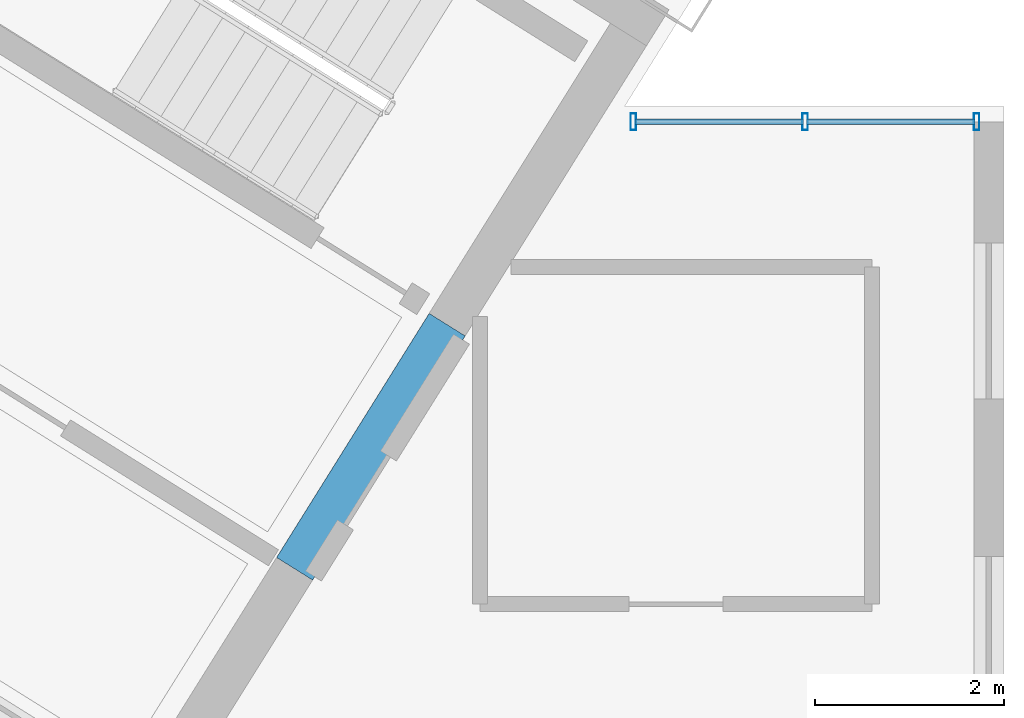
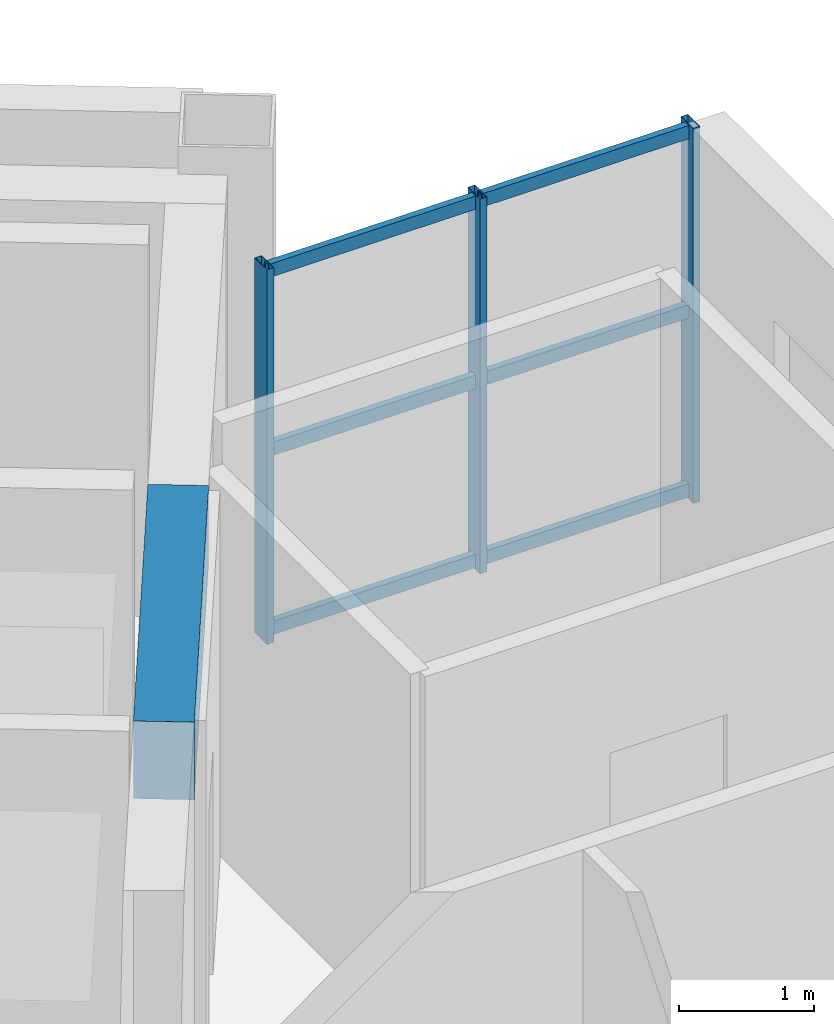
# One storey, part 5 of 12: 9 members, 1 beam, 1 element without a shape of its own.
"""IFC4 building model written with IfcOpenShell, lengths in metres."""

from ifc_helpers import new_model, si_unit, direction, frame, origin, origin_2d, place, context, subcontext, project, spatial, rectangle, hollow_rectangle, extrude, source, transform, mapped, material, material_profile, profile_set, type_object, element, aggregate, save


model = new_model("IFC4")

# Units and contexts
model_context = context("Model", 3, precision=1e-05, world=origin(), true_north=direction((0.0, 1.0)))
body_context = subcontext(model_context, "Body", "Model", "MODEL_VIEW")
ifc_project = project(units=[si_unit("LENGTHUNIT", "METRE"), si_unit("AREAUNIT", "SQUARE_METRE"), si_unit("VOLUMEUNIT", "CUBIC_METRE"), si_unit("PLANEANGLEUNIT", "RADIAN"), si_unit("MASSUNIT", "GRAM", prefix="KILO")], contexts=[model_context])

# Site, building, storey
site_placement = place(None, origin())
site = spatial("IfcSite", under=ifc_project, at=site_placement, CompositionType="ELEMENT")
building_placement = place(site_placement, origin())
building = spatial("IfcBuilding", under=site, at=building_placement, Name="Tlacorven Tower", CompositionType="ELEMENT")
storey_placement = place(building_placement, frame((0.0, 0.0, 280.800048828125)))
storey = spatial("IfcBuildingStorey", under=building, at=storey_placement, Name="L71", CompositionType="ELEMENT", Elevation=280.800048828125)

# Beam
ifc_material_1 = material(Name="Concrete C60/75", Category="concrete")
ifc_material_profile_1 = material_profile(ifc_material_1, rectangle(XDim=0.449951171875, YDim=0.699951171875, at=origin_2d()), Name="RC 450X700")
ifc_profile_set_1 = profile_set([ifc_material_profile_1], Name="Concrete C60/75")
beam_type = type_object("IfcBeamType", Name="BM-LNT-700", PredefinedType="LINTEL", material=ifc_profile_set_1)
shared_shape_1 = source(origin(), body_context, "Body", "SweptSolid", [
    extrude(rectangle(XDim=0.449951171875, YDim=0.699951171875, at=origin_2d()), origin(), (0.0, 0.0, 1.0), 3.050048828125),
])
beam_placement = place(storey_placement, frame((38.2998046875, 20.890625, 3.0), z_axis=(-0.529984549635, -0.848007297815, 0.0), x_axis=(0.848007297815, -0.529984549635, 0.0)))
element("IfcBeam", 1, at=beam_placement, inside=storey, type_object=beam_type, Name="L71 W core coupling lintel beam E1", PredefinedType="LINTEL", context=body_context, shape_type="MappedRepresentation", body=[
    mapped(shared_shape_1, transform((0.0, 0.0, 0.0), scale=1.0)),
])

# Curtain wall, members
ifc_material_2 = material(Name="Dark solar low-E double glazing in aluminium frame", Category="aluminium")
curtain_wall_type = type_object("IfcCurtainWallType", Name="CW-TWR-HIGH", PredefinedType="USERDEFINED", material=ifc_material_2)
curtain_wall_placement = place(storey_placement, origin())
curtain_wall = element("IfcCurtainWall", 2, at=curtain_wall_placement, inside=storey, type_object=curtain_wall_type, Name="L71 CW-TWR-HIGH Curtain Wall 333", ObjectType="UNITISED CURTAIN WALL", PredefinedType="USERDEFINED")
ifc_material_3 = material(Name="Aluminium 6063-T6 anodised", Category="aluminium")
ifc_material_profile_2 = material_profile(ifc_material_3, hollow_rectangle(XDim=0.06005859375, YDim=0.179931640625, WallThickness=0.00390625, at=origin_2d()), Name="ALU MULLION 60X180")
ifc_profile_set_2 = profile_set([ifc_material_profile_2], Name="Aluminium 6063-T6 anodised")
member_type_1 = type_object("IfcMemberType", Name="CWM-03", PredefinedType="MULLION", material=ifc_profile_set_2)
shared_shape_2 = source(origin(), body_context, "Body", "SweptSolid", [
    extrude(hollow_rectangle(XDim=0.06005859375, YDim=0.179931640625, WallThickness=0.00390625, at=origin_2d()), origin(), (0.0, 0.0, 1.0), 3.3798828125),
])
member_1_placement = place(storey_placement, frame((40.27392578125, 23.0400390625, -0.02001953125), z_axis=(0.0, 0.0, 1.0), x_axis=(1.0, 0.0, 0.0)))
member_1 = element("IfcMember", 3, at=member_1_placement, type_object=member_type_1, Name="CW-L71-333 Mullion 1", PredefinedType="MULLION", context=body_context, shape_type="MappedRepresentation", body=[
    mapped(shared_shape_2, transform((0.0, 0.0, 0.0), scale=1.0)),
])
member_2_placement = place(storey_placement, frame((42.092041015625, 23.0400390625, -0.02001953125), z_axis=(0.0, 0.0, 1.0), x_axis=(1.0, 0.0, 0.0)))
member_2 = element("IfcMember", 4, at=member_2_placement, type_object=member_type_1, Name="CW-L71-333 Mullion 2", PredefinedType="MULLION", context=body_context, shape_type="MappedRepresentation", body=[
    mapped(shared_shape_2, transform((0.0, 0.0, 0.0), scale=1.0)),
])
member_3_placement = place(storey_placement, frame((43.909912109375, 23.0400390625, -0.02001953125), z_axis=(0.0, 0.0, 1.0), x_axis=(1.0, 0.0, 0.0)))
member_3 = element("IfcMember", 5, at=member_3_placement, type_object=member_type_1, Name="CW-L71-333 Mullion 3", PredefinedType="MULLION", context=body_context, shape_type="MappedRepresentation", body=[
    mapped(shared_shape_2, transform((0.0, 0.0, 0.0), scale=1.0)),
])
ifc_material_profile_3 = material_profile(ifc_material_3, hollow_rectangle(XDim=0.054931640625, YDim=0.1201171875, WallThickness=0.00341796875, at=origin_2d()), Name="ALU TRANSOM 55X120")
ifc_profile_set_3 = profile_set([ifc_material_profile_3], Name="Aluminium 6063-T6 anodised")
member_type_2 = type_object("IfcMemberType", Name="CWT-03", PredefinedType="USERDEFINED", material=ifc_profile_set_3)
shared_shape_3 = source(origin(), body_context, "Body", "SweptSolid", [
    extrude(hollow_rectangle(XDim=0.054931640625, YDim=0.1201171875, WallThickness=0.00341796875, at=origin_2d()), origin(), (0.0, 0.0, 1.0), 1.781982421875),
])
member_4_placement = place(storey_placement, frame((40.2919921875, 23.0400390625, 0.06005859375), z_axis=(1.0, 0.0, 0.0), x_axis=(0.0, 1.0, 0.0)))
member_4 = element("IfcMember", 6, at=member_4_placement, type_object=member_type_2, Name="CW-L71-333 Transom 1", ObjectType="TRANSOM", PredefinedType="USERDEFINED", context=body_context, shape_type="MappedRepresentation", body=[
    mapped(shared_shape_3, transform((0.0, 0.0, 0.0), scale=1.0)),
])
member_5_placement = place(storey_placement, frame((40.2919921875, 23.0400390625, 1.675048828125), z_axis=(1.0, 0.0, 0.0), x_axis=(0.0, 1.0, 0.0)))
member_5 = element("IfcMember", 7, at=member_5_placement, type_object=member_type_2, Name="CW-L71-333 Transom 2", ObjectType="TRANSOM", PredefinedType="USERDEFINED", context=body_context, shape_type="MappedRepresentation", body=[
    mapped(shared_shape_3, transform((0.0, 0.0, 0.0), scale=1.0)),
])
member_6_placement = place(storey_placement, frame((40.2919921875, 23.0400390625, 3.2900390625), z_axis=(1.0, 0.0, 0.0), x_axis=(0.0, 1.0, 0.0)))
member_6 = element("IfcMember", 8, at=member_6_placement, type_object=member_type_2, Name="CW-L71-333 Transom 3", ObjectType="TRANSOM", PredefinedType="USERDEFINED", context=body_context, shape_type="MappedRepresentation", body=[
    mapped(shared_shape_3, transform((0.0, 0.0, 0.0), scale=1.0)),
])
shared_shape_4 = source(origin(), body_context, "Body", "SweptSolid", [
    extrude(hollow_rectangle(XDim=0.054931640625, YDim=0.1201171875, WallThickness=0.00341796875, at=origin_2d()), origin(), (0.0, 0.0, 1.0), 1.7822265625),
])
member_7_placement = place(storey_placement, frame((42.10986328125, 23.0400390625, 0.06005859375), z_axis=(1.0, 0.0, 0.0), x_axis=(0.0, 1.0, 0.0)))
member_7 = element("IfcMember", 9, at=member_7_placement, type_object=member_type_2, Name="CW-L71-333 Transom 4", ObjectType="TRANSOM", PredefinedType="USERDEFINED", context=body_context, shape_type="MappedRepresentation", body=[
    mapped(shared_shape_4, transform((0.0, 0.0, 0.0), scale=1.0)),
])
member_8_placement = place(storey_placement, frame((42.10986328125, 23.0400390625, 1.675048828125), z_axis=(1.0, 0.0, 0.0), x_axis=(0.0, 1.0, 0.0)))
member_8 = element("IfcMember", 10, at=member_8_placement, type_object=member_type_2, Name="CW-L71-333 Transom 5", ObjectType="TRANSOM", PredefinedType="USERDEFINED", context=body_context, shape_type="MappedRepresentation", body=[
    mapped(shared_shape_4, transform((0.0, 0.0, 0.0), scale=1.0)),
])
member_9_placement = place(storey_placement, frame((42.10986328125, 23.0400390625, 3.2900390625), z_axis=(1.0, 0.0, 0.0), x_axis=(0.0, 1.0, 0.0)))
member_9 = element("IfcMember", 11, at=member_9_placement, type_object=member_type_2, Name="CW-L71-333 Transom 6", ObjectType="TRANSOM", PredefinedType="USERDEFINED", context=body_context, shape_type="MappedRepresentation", body=[
    mapped(shared_shape_4, transform((0.0, 0.0, 0.0), scale=1.0)),
])
aggregate(curtain_wall, [member_1, member_2, member_3, member_4, member_5, member_6, member_7, member_8, member_9])

save(model, "model.ifc")
